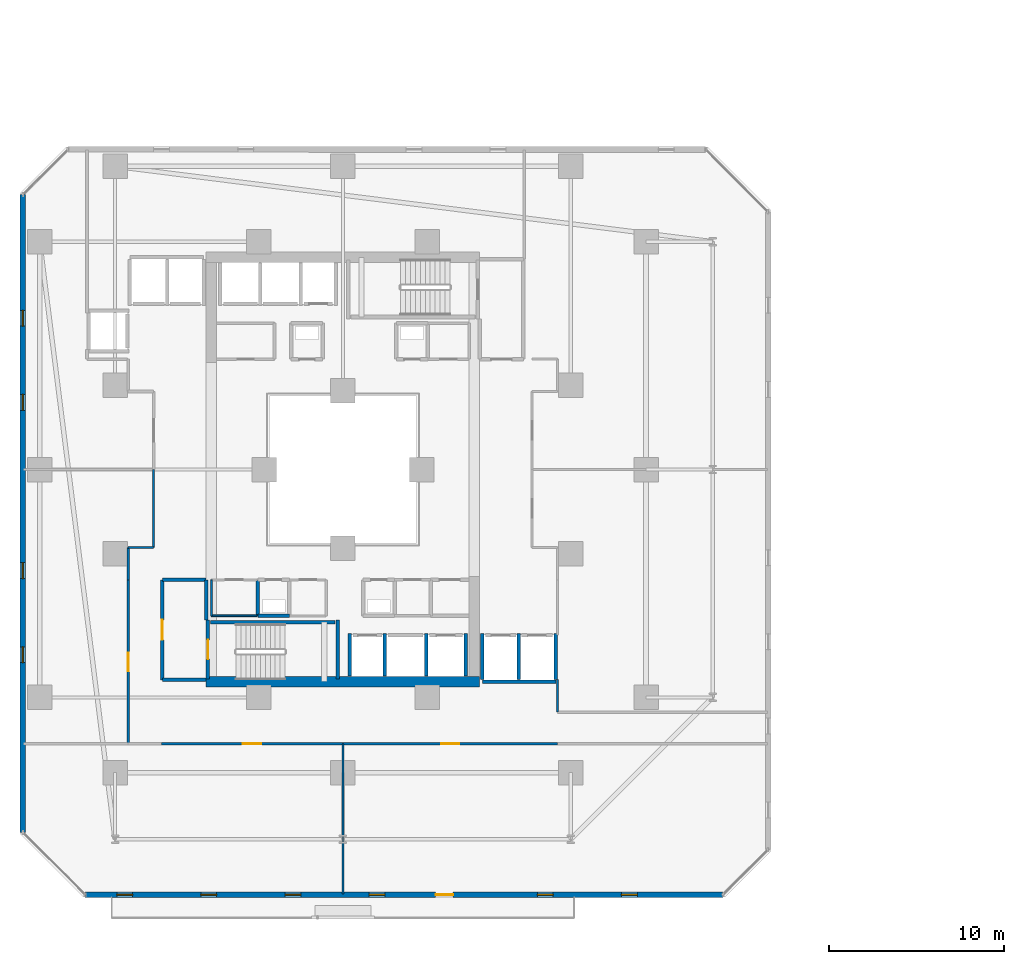
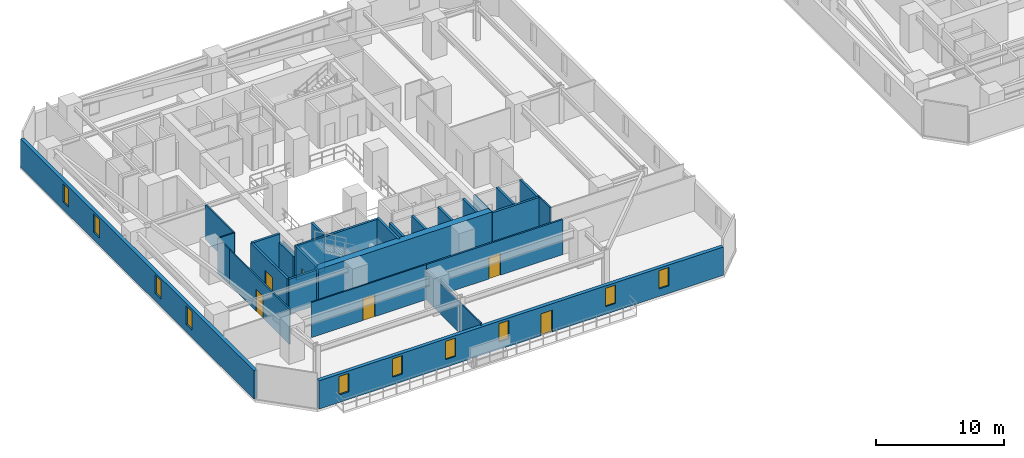
# One storey, part 20 of 34: 30 walls, 10 windows, 6 doors, 16 openings.
"""IFC4 building model written with IfcOpenShell, lengths in metres."""

from ifc_helpers import new_model, si_unit, direction, frame, frame_2d, origin, place, context, subcontext, project, spatial, rectangle, extrude, material, layer, layer_set, type_object, element, fill, save


model = new_model("IFC4")

# Units and contexts
model_context = context("Model", 3, precision=1e-05, world=origin(), true_north=direction((0.0, 1.0)))
body_context = subcontext(model_context, "Body", "Model", "MODEL_VIEW")
ifc_project = project(units=[si_unit("LENGTHUNIT", "METRE"), si_unit("AREAUNIT", "SQUARE_METRE"), si_unit("VOLUMEUNIT", "CUBIC_METRE"), si_unit("PLANEANGLEUNIT", "RADIAN"), si_unit("MASSUNIT", "GRAM", prefix="KILO")], contexts=[model_context])

# Site, building, storey
site_placement = place(None, origin())
site = spatial("IfcSite", under=ifc_project, at=site_placement, CompositionType="ELEMENT")
building_placement = place(site_placement, origin())
building = spatial("IfcBuilding", under=site, at=building_placement, Name="Thornwick Lancets Civic Towers", CompositionType="ELEMENT")
storey_placement = place(building_placement, frame((0.0, 0.0, 57.300048828125)))
storey = spatial("IfcBuildingStorey", under=building, at=storey_placement, Name="L14", CompositionType="ELEMENT", Elevation=57.300048828125)

# Walls
ifc_material_1 = material(Name="Concrete blockwork C40/50", Category="masonry")
ifc_layer_1 = layer(ifc_material_1, 0.199951171875, Name="Concrete blockwork C40/50")
ifc_layer_set_1 = layer_set([ifc_layer_1], Name="Concrete blockwork C40/50")
wall_type_1 = type_object("IfcWallType", Name="WALL_COMP_200", PredefinedType="STANDARD", material=ifc_layer_set_1)
for number, where, z_axis, x_axis, name in (
    (1, (27.89990234375, 15.2119140625, 0.0), (0.0, 0.0, 1.0), (0.0, 1.0, 0.0), "L14 Hoistway Shaft Wall FL-A1 E"),
    (2, (25.89990234375, 15.2119140625, 0.0), (0.0, 0.0, 1.0), (0.0, 1.0, 0.0), "L14 Hoistway Shaft Wall FL-A1 W"),
    (3, (30.25, 15.2119140625, 0.0), (0.0, 0.0, 1.0), (0.0, 1.0, 0.0), "L14 Hoistway Shaft Wall PL-AH1 E"),
    (4, (32.5, 15.2119140625, 0.0), (0.0, 0.0, 1.0), (0.0, 1.0, 0.0), "L14 Hoistway Shaft Wall PL-AL1 E"),
):
    element("IfcWall", number, at=place(storey_placement, frame(where, z_axis=z_axis, x_axis=x_axis)), inside=storey, type_object=wall_type_1, Name=name, PredefinedType="STANDARD", context=body_context, shape_type="SweptSolid", body=[
        extrude(rectangle(XDim=2.43603515625, YDim=0.199951171875, at=frame_2d((1.218017578125, 0.0))), origin(), (0.0, 0.0, 1.0), 3.33984375),
    ])
wall_1_placement = place(storey_placement, frame((33.451904296875, 14.89990234375, 0.0), z_axis=(0.0, 0.0, 1.0), x_axis=(1.0, 0.0, 0.0)))
element("IfcWall", 5, at=wall_1_placement, inside=storey, type_object=wall_type_1, Name="L14 Hoistway Shaft Wall PL-AL2 S", PredefinedType="STANDARD", context=body_context, shape_type="SweptSolid", body=[
    extrude(rectangle(XDim=4.196044921875, YDim=0.199951171875, at=frame_2d((2.09814453125, 0.0))), origin(), (0.0, 0.0, 1.0), 3.33984375),
])
for number, where, z_axis, x_axis, name in (
    (6, (35.52490234375, 15.011962890625, 0.0), (0.0, 0.0, 1.0), (0.0, 1.0, 0.0), "L14 Hoistway Shaft Wall PL-AL2 E"),
    (7, (33.449951171875, 15.011962890625, 0.0), (0.0, 0.0, 1.0), (0.0, 1.0, 0.0), "L14 Hoistway Shaft Wall PL-AL2 W"),
    (8, (37.64990234375, 15.011962890625, 0.0), (0.0, 0.0, 1.0), (0.0, 1.0, 0.0), "L14 Hoistway Shaft Wall PL-AL3 E"),
):
    element("IfcWall", number, at=place(storey_placement, frame(where, z_axis=z_axis, x_axis=x_axis)), inside=storey, type_object=wall_type_1, Name=name, PredefinedType="STANDARD", context=body_context, shape_type="SweptSolid", body=[
        extrude(rectangle(XDim=2.635986328125, YDim=0.199951171875, at=frame_2d((1.31787109375, 0.0))), origin(), (0.0, 0.0, 1.0), 3.33984375),
    ])
wall_2_placement = place(storey_placement, frame((15.199951171875, 15.0, 0.0), z_axis=(0.0, 0.0, 1.0), x_axis=(1.0, 0.0, 0.0)))
element("IfcWall", 9, at=wall_2_placement, inside=storey, type_object=wall_type_1, Name="L14 Partition L14-A-FFLOB1 E1", PredefinedType="STANDARD", context=body_context, shape_type="SweptSolid", body=[
    extrude(rectangle(XDim=2.5, YDim=0.199951171875, at=frame_2d((1.25, 0.0))), origin(), (0.0, 0.0, 1.0), 3.33984375),
])
wall_3_placement = place(storey_placement, frame((17.699951171875, 18.39990234375, 0.0), z_axis=(0.0, 0.0, 1.0), x_axis=(0.0, 1.0, 0.0)))
element("IfcWall", 10, at=wall_3_placement, inside=storey, type_object=wall_type_1, Name="L14 Partition L14-A-FFLOB1 E2", PredefinedType="STANDARD", context=body_context, shape_type="SweptSolid", body=[
    extrude(rectangle(XDim=2.300048828125, YDim=0.199951171875, at=frame_2d((1.14990234375, 0.0))), origin(), (0.0, 0.0, 1.0), 2.544921875),
])
wall_4_placement = place(storey_placement, frame((17.699951171875, 20.699951171875, 0.0), z_axis=(0.0, 0.0, 1.0), x_axis=(-1.0, 0.0, 0.0)))
element("IfcWall", 11, at=wall_4_placement, inside=storey, type_object=wall_type_1, Name="L14 Partition L14-A-FFLOB1 E3", PredefinedType="STANDARD", context=body_context, shape_type="SweptSolid", body=[
    extrude(rectangle(XDim=2.5, YDim=0.199951171875, at=frame_2d((1.25, 0.0))), origin(), (0.0, 0.0, 1.0), 3.33984375),
])

# Wall, opening, door
wall_5_placement = place(storey_placement, frame((15.199951171875, 20.699951171875, 0.0), z_axis=(0.0, 0.0, 1.0), x_axis=(0.0, -1.0, 0.0)))
wall_5 = element("IfcWall", 12, at=wall_5_placement, inside=storey, type_object=wall_type_1, Name="L14 Partition L14-A-FFLOB1 E4", PredefinedType="STANDARD", context=body_context, shape_type="SweptSolid", body=[
    extrude(rectangle(XDim=5.699951171875, YDim=0.199951171875, at=frame_2d((2.85009765625, 0.0))), origin(), (0.0, 0.0, 1.0), 3.33984375),
])
opening_1_placement = place(wall_5_placement, frame((2.27490234375, 0.0, 0.0)))
opening_1 = element("IfcOpeningElement", 13, at=opening_1_placement, cuts=wall_5, Name="Opening D-L14-0663", PredefinedType="OPENING", context=body_context, shape_type="SweptSolid", body=[
    extrude(rectangle(XDim=1.14990234375, YDim=2.10009765625, at=frame_2d((0.574951171875, 1.050048828125))), frame((0.0, 0.10986328125, 0.0), z_axis=(0.0, -1.0, 0.0), x_axis=(1.0, 0.0, 0.0)), (0.0, 0.0, 1.0), 0.219970703125),
])
ifc_material_2 = material(Name="Glazed fire-resisting steel", Category="steel")
door_type_1 = type_object("IfcDoorType", Name="DOOR_LOBBY_FD60", OperationType="NOTDEFINED", PredefinedType="DOOR", material=ifc_material_2)
door_1_placement = place(opening_1_placement, origin())
door_1 = element("IfcDoor", 14, at=door_1_placement, inside=storey, type_object=door_type_1, Name="L14 South Firefighting Lobby 1 Door", OperationType="SINGLE_SWING_RIGHT", OverallHeight=2.10009765625, OverallWidth=1.14990234375, PredefinedType="DOOR", context=body_context, shape_type="SweptSolid", body=[
    extrude(rectangle(XDim=1.14990234375, YDim=2.10009765625, at=frame_2d((0.574951171875, 1.050048828125))), frame((0.0, 0.02490234375, 0.0), z_axis=(0.0, -1.0, 0.0), x_axis=(1.0, 0.0, 0.0)), (0.0, 0.0, 1.0), 0.050048828125),
])
fill(opening_1, door_1)

# Walls
wall_6_placement = place(storey_placement, frame((20.64990234375, 18.64990234375, 0.0), z_axis=(0.0, 0.0, 1.0), x_axis=(1.0, 0.0, 0.0)))
element("IfcWall", 15, at=wall_6_placement, inside=storey, type_object=wall_type_1, Name="L14 Partition L14-A-RISER1 E1", PredefinedType="STANDARD", context=body_context, shape_type="SweptSolid", body=[
    extrude(rectangle(XDim=1.800048828125, YDim=0.199951171875, at=frame_2d((0.89990234375, 0.0))), origin(), (0.0, 0.0, 1.0), 3.33984375),
])
wall_7_placement = place(storey_placement, frame((20.64990234375, 20.699951171875, 0.0), z_axis=(0.0, 0.0, 1.0), x_axis=(0.0, -1.0, 0.0)))
element("IfcWall", 16, at=wall_7_placement, inside=storey, type_object=wall_type_1, Name="L14 Partition L14-A-RISER1 E4", PredefinedType="STANDARD", context=body_context, shape_type="SweptSolid", body=[
    extrude(rectangle(XDim=2.050048828125, YDim=0.199951171875, at=frame_2d((1.02490234375, 0.0))), origin(), (0.0, 0.0, 1.0), 3.33984375),
])
ifc_material_3 = material(Name="Concrete C60/75", Category="concrete")
ifc_layer_2 = layer(ifc_material_3, 0.60009765625, Name="Concrete C60/75")
ifc_layer_set_2 = layer_set([ifc_layer_2], Name="Concrete C60/75")
wall_type_2 = type_object("IfcWallType", Name="WALL_CORE_600", PredefinedType="SHEAR", material=ifc_layer_set_2)
wall_8_placement = place(storey_placement, frame((17.699951171875, 14.89990234375, 0.0), z_axis=(0.0, 0.0, 1.0), x_axis=(1.0, 0.0, 0.0)))
element("IfcWall", 17, at=wall_8_placement, inside=storey, type_object=wall_type_2, Name="L14 Split Core A1 Shear Wall S", PredefinedType="SHEAR", context=body_context, shape_type="SweptSolid", body=[
    extrude(rectangle(XDim=15.60009765625, YDim=0.60009765625, at=frame_2d((7.800048828125, 0.0))), origin(), (0.0, 0.0, 1.0), 3.599853515625),
])

# Wall, openings, door, windows
ifc_material_4 = material(Name="Insulated buff terracotta rainscreen on concrete C40/50", Category="masonry")
ifc_layer_3 = layer(ifc_material_4, 0.320068359375, Name="Insulated buff terracotta rainscreen on concrete C40/50")
ifc_layer_set_3 = layer_set([ifc_layer_3], Name="Insulated buff terracotta rainscreen on concrete C40/50")
wall_type_3 = type_object("IfcWallType", Name="WALL_EXT_TERRA_320", PredefinedType="STANDARD", material=ifc_layer_set_3)
wall_9_placement = place(storey_placement, frame((10.797119140625, 2.73828125, 0.0), z_axis=(0.0, 0.0, 1.0), x_axis=(0.999999996195, -8.7231344e-05, 0.0)))
wall_9 = element("IfcWall", 18, at=wall_9_placement, inside=storey, type_object=wall_type_3, Name="L14 Tower A Terracotta Facade Wall E0", PredefinedType="STANDARD", context=body_context, shape_type="SweptSolid", body=[
    extrude(rectangle(XDim=36.384033203125, YDim=0.320068359375, at=frame_2d((18.19189453125, 0.0))), origin(), (0.0, 0.0, 1.0), 2.699951171875),
])
opening_2_placement = place(wall_9_placement, frame((19.991943359375, 0.0, 0.0)))
opening_2 = element("IfcOpeningElement", 19, at=opening_2_placement, cuts=wall_9, Name="Opening D-BL-L14-AS", PredefinedType="OPENING", context=body_context, shape_type="SweptSolid", body=[
    extrude(rectangle(XDim=1.0, YDim=2.080078125, at=frame_2d((0.5, 1.0400390625))), frame((0.0, 0.169921875, 0.0), z_axis=(0.0, -1.0, 0.0), x_axis=(1.0, 0.0, 0.0)), (0.0, 0.0, 1.0), 0.340087890625),
])
opening_3_placement = place(wall_9_placement, frame((1.800048828125, 0.0, 0.719970703125)))
opening_3 = element("IfcOpeningElement", 20, at=opening_3_placement, cuts=wall_9, Name="Opening WL-01", PredefinedType="OPENING", context=body_context, shape_type="SweptSolid", body=[
    extrude(rectangle(XDim=0.89990234375, YDim=1.75, at=frame_2d((0.449951171875, 0.875))), frame((0.0, 0.169921875, 0.0), z_axis=(0.0, -1.0, 0.0), x_axis=(1.0, 0.0, 0.0)), (0.0, 0.0, 1.0), 0.340087890625),
])
opening_4_placement = place(wall_9_placement, frame((6.60009765625, 0.0, 0.719970703125)))
opening_4 = element("IfcOpeningElement", 21, at=opening_4_placement, cuts=wall_9, Name="Opening WL-01", PredefinedType="OPENING", context=body_context, shape_type="SweptSolid", body=[
    extrude(rectangle(XDim=0.89990234375, YDim=1.75, at=frame_2d((0.449951171875, 0.875))), frame((0.0, 0.169921875, 0.0), z_axis=(0.0, -1.0, 0.0), x_axis=(1.0, 0.0, 0.0)), (0.0, 0.0, 1.0), 0.340087890625),
])
opening_5_placement = place(wall_9_placement, frame((11.39990234375, 0.0, 0.719970703125)))
opening_5 = element("IfcOpeningElement", 22, at=opening_5_placement, cuts=wall_9, Name="Opening WL-01", PredefinedType="OPENING", context=body_context, shape_type="SweptSolid", body=[
    extrude(rectangle(XDim=0.89990234375, YDim=1.75, at=frame_2d((0.449951171875, 0.875))), frame((0.0, 0.169921875, 0.0), z_axis=(0.0, -1.0, 0.0), x_axis=(1.0, 0.0, 0.0)), (0.0, 0.0, 1.0), 0.340087890625),
])
opening_6_placement = place(wall_9_placement, frame((16.199951171875, 0.0, 0.719970703125)))
opening_6 = element("IfcOpeningElement", 23, at=opening_6_placement, cuts=wall_9, Name="Opening WL-01", PredefinedType="OPENING", context=body_context, shape_type="SweptSolid", body=[
    extrude(rectangle(XDim=0.89990234375, YDim=1.75, at=frame_2d((0.449951171875, 0.875))), frame((0.0, 0.169921875, 0.0), z_axis=(0.0, -1.0, 0.0), x_axis=(1.0, 0.0, 0.0)), (0.0, 0.0, 1.0), 0.340087890625),
])
opening_7_placement = place(wall_9_placement, frame((25.800048828125, 0.0, 0.719970703125)))
opening_7 = element("IfcOpeningElement", 24, at=opening_7_placement, cuts=wall_9, Name="Opening WL-01", PredefinedType="OPENING", context=body_context, shape_type="SweptSolid", body=[
    extrude(rectangle(XDim=0.89990234375, YDim=1.75, at=frame_2d((0.449951171875, 0.875))), frame((0.0, 0.169921875, 0.0), z_axis=(0.0, -1.0, 0.0), x_axis=(1.0, 0.0, 0.0)), (0.0, 0.0, 1.0), 0.340087890625),
])
opening_8_placement = place(wall_9_placement, frame((30.60009765625, 0.0, 0.719970703125)))
opening_8 = element("IfcOpeningElement", 25, at=opening_8_placement, cuts=wall_9, Name="Opening WL-01", PredefinedType="OPENING", context=body_context, shape_type="SweptSolid", body=[
    extrude(rectangle(XDim=0.89990234375, YDim=1.75, at=frame_2d((0.449951171875, 0.875))), frame((0.0, 0.169921875, 0.0), z_axis=(0.0, -1.0, 0.0), x_axis=(1.0, 0.0, 0.0)), (0.0, 0.0, 1.0), 0.340087890625),
])
ifc_material_5 = material(Name="Thermally broken glazed loggia doorset")
door_type_2 = type_object("IfcDoorType", Name="DOOR_BALC_1000", OperationType="NOTDEFINED", PredefinedType="DOOR", material=ifc_material_5)
door_2_placement = place(opening_2_placement, origin())
door_2 = element("IfcDoor", 26, at=door_2_placement, inside=storey, type_object=door_type_2, Name="L14 Tower A Loggia Balcony Door S", OperationType="SINGLE_SWING_LEFT", OverallHeight=2.080078125, OverallWidth=1.0, PredefinedType="DOOR", context=body_context, shape_type="SweptSolid", body=[
    extrude(rectangle(XDim=1.0, YDim=2.080078125, at=frame_2d((0.5, 1.0400390625))), frame((0.0, 0.02490234375, 0.0), z_axis=(0.0, -1.0, 0.0), x_axis=(1.0, 0.0, 0.0)), (0.0, 0.0, 1.0), 0.050048828125),
])
fill(opening_2, door_2)
ifc_material_6 = material(Name="Clear low-e double glazing in bronze frame", Category="glass")
window_type = type_object("IfcWindowType", Name="WIN_LANCET_900", PartitioningType="SINGLE_PANEL", PredefinedType="WINDOW", material=ifc_material_6)
window_1_placement = place(opening_3_placement, origin())
window_1 = element("IfcWindow", 27, at=window_1_placement, inside=storey, type_object=window_type, Name="L14 Tower A Staggered Lancet Window E0-1", OverallHeight=1.75, OverallWidth=0.89990234375, PartitioningType="SINGLE_PANEL", PredefinedType="WINDOW", context=body_context, shape_type="SweptSolid", body=[
    extrude(rectangle(XDim=0.89990234375, YDim=1.75, at=frame_2d((0.449951171875, 0.875))), frame((0.0, 0.030029296875, 0.0), z_axis=(0.0, -1.0, 0.0), x_axis=(1.0, 0.0, 0.0)), (0.0, 0.0, 1.0), 0.06005859375),
])
fill(opening_3, window_1)
window_2_placement = place(opening_4_placement, origin())
window_2 = element("IfcWindow", 28, at=window_2_placement, inside=storey, type_object=window_type, Name="L14 Tower A Staggered Lancet Window E0-2", OverallHeight=1.75, OverallWidth=0.89990234375, PartitioningType="SINGLE_PANEL", PredefinedType="WINDOW", context=body_context, shape_type="SweptSolid", body=[
    extrude(rectangle(XDim=0.89990234375, YDim=1.75, at=frame_2d((0.449951171875, 0.875))), frame((0.0, 0.030029296875, 0.0), z_axis=(0.0, -1.0, 0.0), x_axis=(1.0, 0.0, 0.0)), (0.0, 0.0, 1.0), 0.06005859375),
])
fill(opening_4, window_2)
window_3_placement = place(opening_5_placement, origin())
window_3 = element("IfcWindow", 29, at=window_3_placement, inside=storey, type_object=window_type, Name="L14 Tower A Staggered Lancet Window E0-3", OverallHeight=1.75, OverallWidth=0.89990234375, PartitioningType="SINGLE_PANEL", PredefinedType="WINDOW", context=body_context, shape_type="SweptSolid", body=[
    extrude(rectangle(XDim=0.89990234375, YDim=1.75, at=frame_2d((0.449951171875, 0.875))), frame((0.0, 0.030029296875, 0.0), z_axis=(0.0, -1.0, 0.0), x_axis=(1.0, 0.0, 0.0)), (0.0, 0.0, 1.0), 0.06005859375),
])
fill(opening_5, window_3)
window_4_placement = place(opening_6_placement, origin())
window_4 = element("IfcWindow", 30, at=window_4_placement, inside=storey, type_object=window_type, Name="L14 Tower A Staggered Lancet Window E0-4", OverallHeight=1.75, OverallWidth=0.89990234375, PartitioningType="SINGLE_PANEL", PredefinedType="WINDOW", context=body_context, shape_type="SweptSolid", body=[
    extrude(rectangle(XDim=0.89990234375, YDim=1.75, at=frame_2d((0.449951171875, 0.875))), frame((0.0, 0.030029296875, 0.0), z_axis=(0.0, -1.0, 0.0), x_axis=(1.0, 0.0, 0.0)), (0.0, 0.0, 1.0), 0.06005859375),
])
fill(opening_6, window_4)
window_5_placement = place(opening_7_placement, origin())
window_5 = element("IfcWindow", 31, at=window_5_placement, inside=storey, type_object=window_type, Name="L14 Tower A Staggered Lancet Window E0-5", OverallHeight=1.75, OverallWidth=0.89990234375, PartitioningType="SINGLE_PANEL", PredefinedType="WINDOW", context=body_context, shape_type="SweptSolid", body=[
    extrude(rectangle(XDim=0.89990234375, YDim=1.75, at=frame_2d((0.449951171875, 0.875))), frame((0.0, 0.030029296875, 0.0), z_axis=(0.0, -1.0, 0.0), x_axis=(1.0, 0.0, 0.0)), (0.0, 0.0, 1.0), 0.06005859375),
])
fill(opening_7, window_5)
window_6_placement = place(opening_8_placement, origin())
window_6 = element("IfcWindow", 32, at=window_6_placement, inside=storey, type_object=window_type, Name="L14 Tower A Staggered Lancet Window E0-6", OverallHeight=1.75, OverallWidth=0.89990234375, PartitioningType="SINGLE_PANEL", PredefinedType="WINDOW", context=body_context, shape_type="SweptSolid", body=[
    extrude(rectangle(XDim=0.89990234375, YDim=1.75, at=frame_2d((0.449951171875, 0.875))), frame((0.0, 0.030029296875, 0.0), z_axis=(0.0, -1.0, 0.0), x_axis=(1.0, 0.0, 0.0)), (0.0, 0.0, 1.0), 0.06005859375),
])
fill(opening_8, window_6)

# Wall, openings, windows
wall_10_placement = place(storey_placement, frame((7.235107421875, 42.68115234375, 0.0), z_axis=(0.0, 0.0, 1.0), x_axis=(8.7231344e-05, -0.999999996195, 0.0)))
wall_10 = element("IfcWall", 33, at=wall_10_placement, inside=storey, type_object=wall_type_3, Name="L14 Tower A Terracotta Facade Wall E6", PredefinedType="STANDARD", context=body_context, shape_type="SweptSolid", body=[
    extrude(rectangle(XDim=36.384033203125, YDim=0.320068359375, at=frame_2d((18.19189453125, 0.0))), origin(), (0.0, 0.0, 1.0), 2.699951171875),
])
opening_9_placement = place(wall_10_placement, frame((6.60009765625, 0.0, 0.719970703125)))
opening_9 = element("IfcOpeningElement", 34, at=opening_9_placement, cuts=wall_10, Name="Opening WL-01", PredefinedType="OPENING", context=body_context, shape_type="SweptSolid", body=[
    extrude(rectangle(XDim=0.89990234375, YDim=1.75, at=frame_2d((0.449951171875, 0.875))), frame((0.0, 0.169921875, 0.0), z_axis=(0.0, -1.0, 0.0), x_axis=(1.0, 0.0, 0.0)), (0.0, 0.0, 1.0), 0.340087890625),
])
opening_10_placement = place(wall_10_placement, frame((11.39990234375, 0.0, 0.719970703125)))
opening_10 = element("IfcOpeningElement", 35, at=opening_10_placement, cuts=wall_10, Name="Opening WL-01", PredefinedType="OPENING", context=body_context, shape_type="SweptSolid", body=[
    extrude(rectangle(XDim=0.89990234375, YDim=1.75, at=frame_2d((0.449951171875, 0.875))), frame((0.0, 0.169921875, 0.0), z_axis=(0.0, -1.0, 0.0), x_axis=(1.0, 0.0, 0.0)), (0.0, 0.0, 1.0), 0.340087890625),
])
opening_11_placement = place(wall_10_placement, frame((21.0, 0.0, 0.719970703125)))
opening_11 = element("IfcOpeningElement", 36, at=opening_11_placement, cuts=wall_10, Name="Opening WL-01", PredefinedType="OPENING", context=body_context, shape_type="SweptSolid", body=[
    extrude(rectangle(XDim=0.89990234375, YDim=1.75, at=frame_2d((0.449951171875, 0.875))), frame((0.0, 0.169921875, 0.0), z_axis=(0.0, -1.0, 0.0), x_axis=(1.0, 0.0, 0.0)), (0.0, 0.0, 1.0), 0.340087890625),
])
opening_12_placement = place(wall_10_placement, frame((25.800048828125, 0.0, 0.719970703125)))
opening_12 = element("IfcOpeningElement", 37, at=opening_12_placement, cuts=wall_10, Name="Opening WL-01", PredefinedType="OPENING", context=body_context, shape_type="SweptSolid", body=[
    extrude(rectangle(XDim=0.89990234375, YDim=1.75, at=frame_2d((0.449951171875, 0.875))), frame((0.0, 0.169921875, 0.0), z_axis=(0.0, -1.0, 0.0), x_axis=(1.0, 0.0, 0.0)), (0.0, 0.0, 1.0), 0.340087890625),
])
window_7_placement = place(opening_9_placement, origin())
window_7 = element("IfcWindow", 38, at=window_7_placement, inside=storey, type_object=window_type, Name="L14 Tower A Staggered Lancet Window E6-1", OverallHeight=1.75, OverallWidth=0.89990234375, PartitioningType="SINGLE_PANEL", PredefinedType="WINDOW", context=body_context, shape_type="SweptSolid", body=[
    extrude(rectangle(XDim=0.89990234375, YDim=1.75, at=frame_2d((0.449951171875, 0.875))), frame((0.0, 0.030029296875, 0.0), z_axis=(0.0, -1.0, 0.0), x_axis=(1.0, 0.0, 0.0)), (0.0, 0.0, 1.0), 0.06005859375),
])
fill(opening_9, window_7)
window_8_placement = place(opening_10_placement, origin())
window_8 = element("IfcWindow", 39, at=window_8_placement, inside=storey, type_object=window_type, Name="L14 Tower A Staggered Lancet Window E6-2", OverallHeight=1.75, OverallWidth=0.89990234375, PartitioningType="SINGLE_PANEL", PredefinedType="WINDOW", context=body_context, shape_type="SweptSolid", body=[
    extrude(rectangle(XDim=0.89990234375, YDim=1.75, at=frame_2d((0.449951171875, 0.875))), frame((0.0, 0.030029296875, 0.0), z_axis=(0.0, -1.0, 0.0), x_axis=(1.0, 0.0, 0.0)), (0.0, 0.0, 1.0), 0.06005859375),
])
fill(opening_10, window_8)
window_9_placement = place(opening_11_placement, origin())
window_9 = element("IfcWindow", 40, at=window_9_placement, inside=storey, type_object=window_type, Name="L14 Tower A Staggered Lancet Window E6-3", OverallHeight=1.75, OverallWidth=0.89990234375, PartitioningType="SINGLE_PANEL", PredefinedType="WINDOW", context=body_context, shape_type="SweptSolid", body=[
    extrude(rectangle(XDim=0.89990234375, YDim=1.75, at=frame_2d((0.449951171875, 0.875))), frame((0.0, 0.030029296875, 0.0), z_axis=(0.0, -1.0, 0.0), x_axis=(1.0, 0.0, 0.0)), (0.0, 0.0, 1.0), 0.06005859375),
])
fill(opening_11, window_9)
window_10_placement = place(opening_12_placement, origin())
window_10 = element("IfcWindow", 41, at=window_10_placement, inside=storey, type_object=window_type, Name="L14 Tower A Staggered Lancet Window E6-4", OverallHeight=1.75, OverallWidth=0.89990234375, PartitioningType="SINGLE_PANEL", PredefinedType="WINDOW", context=body_context, shape_type="SweptSolid", body=[
    extrude(rectangle(XDim=0.89990234375, YDim=1.75, at=frame_2d((0.449951171875, 0.875))), frame((0.0, 0.030029296875, 0.0), z_axis=(0.0, -1.0, 0.0), x_axis=(1.0, 0.0, 0.0)), (0.0, 0.0, 1.0), 0.06005859375),
])
fill(opening_12, window_10)

# Walls
ifc_material_7 = material(Name="Lightweight cellular office partition")
ifc_layer_4 = layer(ifc_material_7, 0.10009765625, Name="Lightweight cellular office partition")
ifc_layer_set_4 = layer_set([ifc_layer_4], Name="Lightweight cellular office partition")
wall_type_4 = type_object("IfcWallType", Name="WALL_PART_100", PredefinedType="PARTITIONING", material=ifc_layer_set_4)
wall_11_placement = place(storey_placement, frame((18.0, 18.64990234375, 0.0), z_axis=(0.0, 0.0, 1.0), x_axis=(1.0, 0.0, 0.0)))
element("IfcWall", 42, at=wall_11_placement, inside=storey, type_object=wall_type_4, Name="L14 Partition L14-A-CLN E1", PredefinedType="PARTITIONING", context=body_context, shape_type="SweptSolid", body=[
    extrude(rectangle(XDim=2.60009765625, YDim=0.10009765625, at=frame_2d((1.300048828125, 0.0))), origin(), (0.0, 0.0, 1.0), 3.33984375),
])
wall_12_placement = place(storey_placement, frame((18.0, 20.699951171875, 0.0), z_axis=(0.0, 0.0, 1.0), x_axis=(0.0, -1.0, 0.0)))
element("IfcWall", 43, at=wall_12_placement, inside=storey, type_object=wall_type_4, Name="L14 Partition L14-A-CLN E4", PredefinedType="PARTITIONING", context=body_context, shape_type="SweptSolid", body=[
    extrude(rectangle(XDim=2.050048828125, YDim=0.10009765625, at=frame_2d((1.02490234375, 0.0))), origin(), (0.0, 0.0, 1.0), 2.544921875),
])
ifc_material_8 = material(Name="Acoustic gypsum board partition")
ifc_layer_5 = layer(ifc_material_8, 0.1201171875, Name="Acoustic gypsum board partition")
ifc_layer_set_5 = layer_set([ifc_layer_5], Name="Acoustic gypsum board partition")
wall_type_5 = type_object("IfcWallType", Name="WALL_PART_120", PredefinedType="PARTITIONING", material=ifc_layer_set_5)
wall_13_placement = place(storey_placement, frame((14.699951171875, 27.0, 0.0), z_axis=(0.0, 0.0, 1.0), x_axis=(0.0, -1.0, 0.0)))
element("IfcWall", 44, at=wall_13_placement, inside=storey, type_object=wall_type_5, Name="L14 Partition L14-A-W1 E1", PredefinedType="PARTITIONING", context=body_context, shape_type="SweptSolid", body=[
    extrude(rectangle(XDim=4.449951171875, YDim=0.1201171875, at=frame_2d((2.22509765625, 0.0))), origin(), (0.0, 0.0, 1.0), 3.33984375),
])
wall_14_placement = place(storey_placement, frame((14.699951171875, 22.550048828125, 0.0), z_axis=(0.0, 0.0, 1.0), x_axis=(-1.0, 0.0, 0.0)))
element("IfcWall", 45, at=wall_14_placement, inside=storey, type_object=wall_type_5, Name="L14 Partition L14-A-W1 E2", PredefinedType="PARTITIONING", context=body_context, shape_type="SweptSolid", body=[
    extrude(rectangle(XDim=1.449951171875, YDim=0.1201171875, at=frame_2d((0.72509765625, 0.0))), origin(), (0.0, 0.0, 1.0), 3.33984375),
])
wall_15_placement = place(storey_placement, frame((13.25, 22.550048828125, 0.0), z_axis=(0.0, 0.0, 1.0), x_axis=(0.0, -1.0, 0.0)))
element("IfcWall", 46, at=wall_15_placement, inside=storey, type_object=wall_type_5, Name="L14 Partition L14-A-W1 E3", PredefinedType="PARTITIONING", context=body_context, shape_type="SweptSolid", body=[
    extrude(rectangle(XDim=1.85009765625, YDim=0.1201171875, at=frame_2d((0.925048828125, 0.0))), origin(), (0.0, 0.0, 1.0), 3.33984375),
])

# Wall, opening, door
wall_16_placement = place(storey_placement, frame((13.25, 20.699951171875, 0.0), z_axis=(0.0, 0.0, 1.0), x_axis=(0.0, -1.0, 0.0)))
wall_16 = element("IfcWall", 47, at=wall_16_placement, inside=storey, type_object=wall_type_5, Name="L14 Partition L14-A-W1 E4", PredefinedType="PARTITIONING", context=body_context, shape_type="SweptSolid", body=[
    extrude(rectangle(XDim=9.349853515625, YDim=0.1201171875, at=frame_2d((4.6748046875, 0.0))), origin(), (0.0, 0.0, 1.0), 3.33984375),
])
opening_13_placement = place(wall_16_placement, frame((4.14990234375, 0.0, 0.0)))
opening_13 = element("IfcOpeningElement", 48, at=opening_13_placement, cuts=wall_16, Name="Opening D-L14-0687", PredefinedType="OPENING", context=body_context, shape_type="SweptSolid", body=[
    extrude(rectangle(XDim=1.050048828125, YDim=2.10009765625, at=frame_2d((0.52490234375, 1.050048828125))), frame((0.0, 0.070068359375, 0.0), z_axis=(0.0, -1.0, 0.0), x_axis=(1.0, 0.0, 0.0)), (0.0, 0.0, 1.0), 0.14013671875),
])
ifc_material_9 = material(Name="Glazed European oak executive doorset")
door_type_3 = type_object("IfcDoorType", Name="DOOR_OFFICE_1050", OperationType="NOTDEFINED", PredefinedType="DOOR", material=ifc_material_9)
door_3_placement = place(opening_13_placement, origin())
door_3 = element("IfcDoor", 49, at=door_3_placement, inside=storey, type_object=door_type_3, Name="L14 Tower A Ministry Directorate Office W1 Door", OperationType="SINGLE_SWING_RIGHT", OverallHeight=2.10009765625, OverallWidth=1.050048828125, PredefinedType="DOOR", context=body_context, shape_type="SweptSolid", body=[
    extrude(rectangle(XDim=1.050048828125, YDim=2.10009765625, at=frame_2d((0.52490234375, 1.050048828125))), frame((0.0, 0.02490234375, 0.0), z_axis=(0.0, -1.0, 0.0), x_axis=(1.0, 0.0, 0.0)), (0.0, 0.0, 1.0), 0.050048828125),
])
fill(opening_13, door_3)

# Wall
wall_17_placement = place(storey_placement, frame((37.75, 13.14990234375, 0.0), z_axis=(0.0, 0.0, 1.0), x_axis=(0.0, 1.0, 0.0)))
element("IfcWall", 50, at=wall_17_placement, inside=storey, type_object=wall_type_5, Name="L14 Partition L14-A-E1 E8", PredefinedType="PARTITIONING", context=body_context, shape_type="SweptSolid", body=[
    extrude(rectangle(XDim=1.862060546875, YDim=0.1201171875, at=frame_2d((0.93115234375, 0.0))), origin(), (0.0, 0.0, 1.0), 3.33984375),
])

# Wall, opening, door
wall_18_placement = place(storey_placement, frame((15.14990234375, 11.35009765625, 0.0), z_axis=(0.0, 0.0, 1.0), x_axis=(1.0, 0.0, 0.0)))
wall_18 = element("IfcWall", 51, at=wall_18_placement, inside=storey, type_object=wall_type_5, Name="L14 Partition L14-A-S-OFF E2", PredefinedType="PARTITIONING", context=body_context, shape_type="SweptSolid", body=[
    extrude(rectangle(XDim=10.35009765625, YDim=0.1201171875, at=frame_2d((5.175048828125, 0.0))), origin(), (0.0, 0.0, 1.0), 3.33984375),
])
opening_14_placement = place(wall_18_placement, frame((4.64990234375, 0.0, 0.0)))
opening_14 = element("IfcOpeningElement", 52, at=opening_14_placement, cuts=wall_18, Name="Opening D-L14-0691", PredefinedType="OPENING", context=body_context, shape_type="SweptSolid", body=[
    extrude(rectangle(XDim=1.050048828125, YDim=2.10009765625, at=frame_2d((0.52490234375, 1.050048828125))), frame((0.0, 0.070068359375, 0.0), z_axis=(0.0, -1.0, 0.0), x_axis=(1.0, 0.0, 0.0)), (0.0, 0.0, 1.0), 0.14013671875),
])
door_4_placement = place(opening_14_placement, origin())
door_4 = element("IfcDoor", 53, at=door_4_placement, inside=storey, type_object=door_type_3, Name="L14 Tower A South Division Office Door", OperationType="SINGLE_SWING_RIGHT", OverallHeight=2.10009765625, OverallWidth=1.050048828125, PredefinedType="DOOR", context=body_context, shape_type="SweptSolid", body=[
    extrude(rectangle(XDim=1.050048828125, YDim=2.10009765625, at=frame_2d((0.52490234375, 1.050048828125))), frame((0.0, 0.02490234375, 0.0), z_axis=(0.0, -1.0, 0.0), x_axis=(1.0, 0.0, 0.0)), (0.0, 0.0, 1.0), 0.050048828125),
])
fill(opening_14, door_4)

# Wall
wall_19_placement = place(storey_placement, frame((25.5, 11.35009765625, 0.0), z_axis=(0.0, 0.0, 1.0), x_axis=(0.0, -1.0, 0.0)))
element("IfcWall", 54, at=wall_19_placement, inside=storey, type_object=wall_type_5, Name="L14 Partition L14-A-S-OFF E3", PredefinedType="PARTITIONING", context=body_context, shape_type="SweptSolid", body=[
    extrude(rectangle(XDim=8.570068359375, YDim=0.1201171875, at=frame_2d((4.28515625, 0.0))), origin(), (0.0, 0.0, 1.0), 2.93212890625),
])

# Wall, opening, door
ifc_material_10 = material(Name="Twin-stud acoustic gypsum board")
ifc_layer_6 = layer(ifc_material_10, 0.14990234375, Name="Twin-stud acoustic gypsum board")
ifc_layer_set_6 = layer_set([ifc_layer_6], Name="Twin-stud acoustic gypsum board")
wall_type_6 = type_object("IfcWallType", Name="WALL_PART_150", PredefinedType="PARTITIONING", material=ifc_layer_set_6)
wall_20_placement = place(storey_placement, frame((25.5, 11.35009765625, 0.0), z_axis=(0.0, 0.0, 1.0), x_axis=(1.0, 0.0, 0.0)))
wall_20 = element("IfcWall", 55, at=wall_20_placement, inside=storey, type_object=wall_type_6, Name="L14 Partition L14-A-S-ARCH E3", PredefinedType="PARTITIONING", context=body_context, shape_type="SweptSolid", body=[
    extrude(rectangle(XDim=12.25, YDim=0.14990234375, at=frame_2d((6.125, 0.0))), origin(), (0.0, 0.0, 1.0), 3.33984375),
])
opening_15_placement = place(wall_20_placement, frame((5.60009765625, 0.0, 0.0)))
opening_15 = element("IfcOpeningElement", 56, at=opening_15_placement, cuts=wall_20, Name="Opening D-L14-0692", PredefinedType="OPENING", context=body_context, shape_type="SweptSolid", body=[
    extrude(rectangle(XDim=1.050048828125, YDim=2.10009765625, at=frame_2d((0.52490234375, 1.050048828125))), frame((0.0, 0.0849609375, 0.0), z_axis=(0.0, -1.0, 0.0), x_axis=(1.0, 0.0, 0.0)), (0.0, 0.0, 1.0), 0.169921875),
])
door_5_placement = place(opening_15_placement, origin())
door_5 = element("IfcDoor", 57, at=door_5_placement, inside=storey, type_object=door_type_3, Name="L14 Tower A Registry and Records Archive Door", OperationType="SINGLE_SWING_LEFT", OverallHeight=2.10009765625, OverallWidth=1.050048828125, PredefinedType="DOOR", context=body_context, shape_type="SweptSolid", body=[
    extrude(rectangle(XDim=1.050048828125, YDim=2.10009765625, at=frame_2d((0.52490234375, 1.050048828125))), frame((0.0, 0.02490234375, 0.0), z_axis=(0.0, -1.0, 0.0), x_axis=(1.0, 0.0, 0.0)), (0.0, 0.0, 1.0), 0.050048828125),
])
fill(opening_15, door_5)

ifc_material_11 = material(Name="Concrete C40/50", Category="concrete")
ifc_layer_7 = layer(ifc_material_11, 0.199951171875, Name="Concrete C40/50")
ifc_layer_set_7 = layer_set([ifc_layer_7], Name="Concrete C40/50")
wall_type_7 = type_object("IfcWallType", Name="WALL_SHAFT_200", PredefinedType="SHEAR", material=ifc_layer_set_7)
wall_21_placement = place(storey_placement, frame((17.800048828125, 15.050048828125, 0.0), z_axis=(0.0, 0.0, 1.0), x_axis=(0.0, 1.0, 0.0)))
wall_21 = element("IfcWall", 58, at=wall_21_placement, inside=storey, type_object=wall_type_7, Name="L14 ST-A1 Fire Stair Core Wall NEAR", PredefinedType="SHEAR", context=body_context, shape_type="SweptSolid", body=[
    extrude(rectangle(XDim=3.349853515625, YDim=0.199951171875, at=frame_2d((1.6748046875, 0.0))), origin(), (0.0, 0.0, 1.0), 3.599853515625),
])
opening_16_placement = place(wall_21_placement, frame((1.125, 0.0, 0.0)))
opening_16 = element("IfcOpeningElement", 59, at=opening_16_placement, cuts=wall_21, Name="Opening D-ST-A1-L14", PredefinedType="OPENING", context=body_context, shape_type="SweptSolid", body=[
    extrude(rectangle(XDim=1.10009765625, YDim=2.10009765625, at=frame_2d((0.550048828125, 1.050048828125))), frame((0.0, 0.10986328125, 0.0), z_axis=(0.0, -1.0, 0.0), x_axis=(1.0, 0.0, 0.0)), (0.0, 0.0, 1.0), 0.219970703125),
])
ifc_material_12 = material(Name="Fire-resisting steel and hardwood", Category="steel")
door_type_4 = type_object("IfcDoorType", Name="DOOR_STAIR_FD60", OperationType="NOTDEFINED", PredefinedType="DOOR", material=ifc_material_12)
door_6_placement = place(opening_16_placement, origin())
door_6 = element("IfcDoor", 60, at=door_6_placement, inside=storey, type_object=door_type_4, Name="L14 ST-A1 Exit Stair Door", OperationType="SINGLE_SWING_RIGHT", OverallHeight=2.10009765625, OverallWidth=1.10009765625, PredefinedType="DOOR", context=body_context, shape_type="SweptSolid", body=[
    extrude(rectangle(XDim=1.10009765625, YDim=2.10009765625, at=frame_2d((0.550048828125, 1.050048828125))), frame((0.0, 0.02490234375, 0.0), z_axis=(0.0, -1.0, 0.0), x_axis=(1.0, 0.0, 0.0)), (0.0, 0.0, 1.0), 0.050048828125),
])
fill(opening_16, door_6)

# Walls
wall_22_placement = place(storey_placement, frame((25.199951171875, 18.39990234375, 0.0), z_axis=(0.0, 0.0, 1.0), x_axis=(0.0, -1.0, 0.0)))
element("IfcWall", 61, at=wall_22_placement, inside=storey, type_object=wall_type_7, Name="L14 ST-A1 Fire Stair Core Wall FAR", PredefinedType="SHEAR", context=body_context, shape_type="SweptSolid", body=[
    extrude(rectangle(XDim=3.349853515625, YDim=0.199951171875, at=frame_2d((1.6748046875, 0.0))), origin(), (0.0, 0.0, 1.0), 3.599853515625),
])
wall_23_placement = place(storey_placement, frame((25.050048828125, 18.297119140625, 0.0), z_axis=(0.0, 0.0, 1.0), x_axis=(-1.0, 0.0, 0.0)))
element("IfcWall", 62, at=wall_23_placement, inside=storey, type_object=wall_type_7, Name="L14 ST-A1 Fire Stair Core Wall RIGHT", PredefinedType="SHEAR", context=body_context, shape_type="SweptSolid", body=[
    extrude(rectangle(XDim=7.10009765625, YDim=0.199951171875, at=frame_2d((3.550048828125, 0.0))), origin(), (0.0, 0.0, 1.0), 3.599853515625),
])

save(model, "model.ifc")
